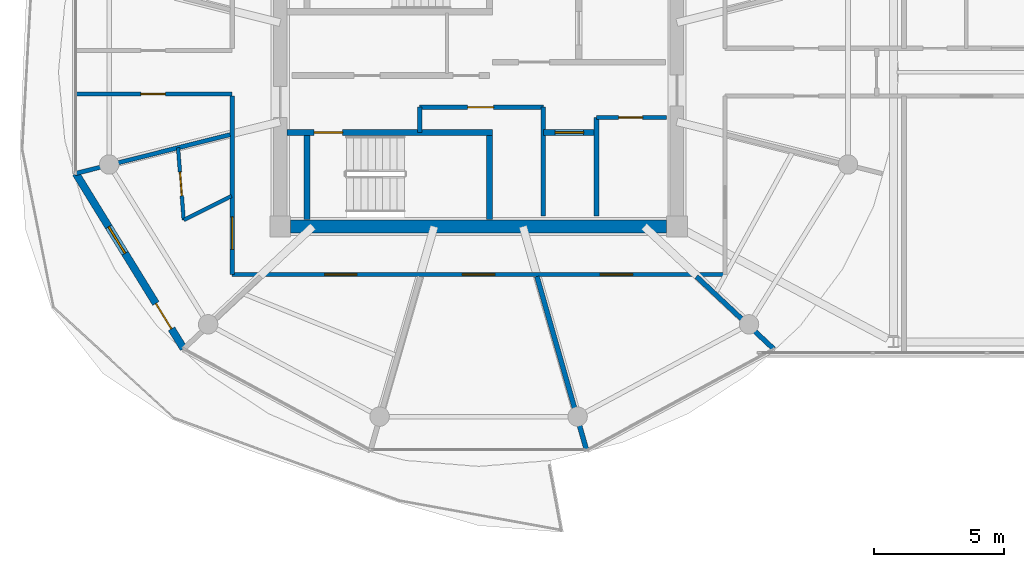
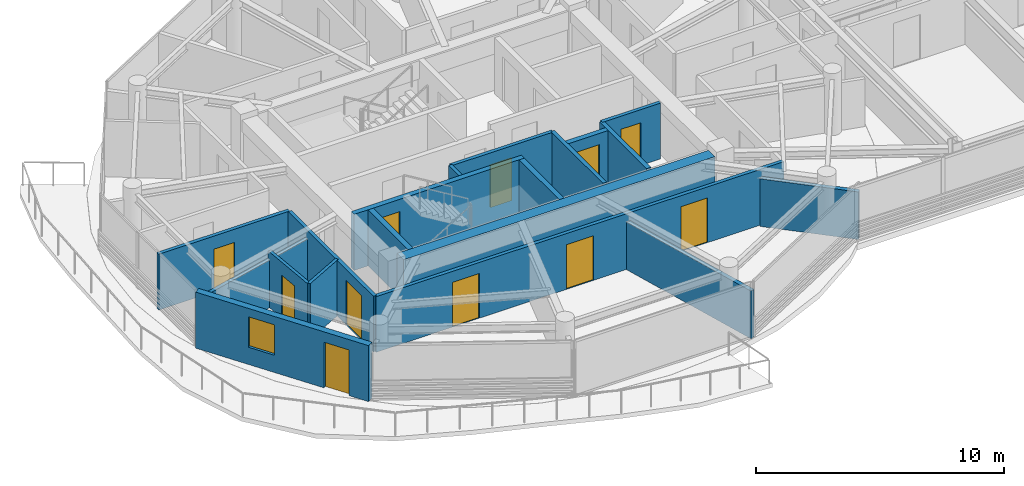
# One storey, part 13 of 23: 19 walls, 11 doors, 1 window, 12 openings.
"""IFC4 building model written with IfcOpenShell, lengths in metres."""

from ifc_helpers import new_model, si_unit, direction, frame, frame_2d, origin, place, context, subcontext, project, spatial, rectangle, extrude, source, transform, mapped, material, layer, layer_set, type_object, type_shapes, element, fill, save


model = new_model("IFC4")

# Units and contexts
model_context = context("Model", 3, precision=1e-05, world=origin(), true_north=direction((0.0, 1.0)))
body_context = subcontext(model_context, "Body", "Model", "MODEL_VIEW")
ifc_project = project(units=[si_unit("LENGTHUNIT", "METRE"), si_unit("AREAUNIT", "SQUARE_METRE"), si_unit("VOLUMEUNIT", "CUBIC_METRE"), si_unit("PLANEANGLEUNIT", "RADIAN"), si_unit("MASSUNIT", "GRAM", prefix="KILO")], contexts=[model_context])

# Site, building, storey
site_placement = place(None, origin())
site = spatial("IfcSite", under=ifc_project, at=site_placement, CompositionType="ELEMENT")
building_placement = place(site_placement, origin())
building = spatial("IfcBuilding", under=site, at=building_placement, Name="Norrkilde Senior Care Towers", CompositionType="ELEMENT")
storey_placement = place(building_placement, frame((0.0, 0.0, 216.949951171875)))
storey = spatial("IfcBuildingStorey", under=building, at=storey_placement, Name="L67", CompositionType="ELEMENT", Elevation=216.949951171875)

# Wall
ifc_material_1 = material(Name="Concrete C50/60", Category="concrete")
ifc_layer_1 = layer(ifc_material_1, 0.52001953125)
ifc_layer_set_1 = layer_set([ifc_layer_1], Name="Concrete C50/60")
wall_type_1 = type_object("IfcWallType", Name="Core Shear Wall Z4 520", PredefinedType="SHEAR", material=ifc_layer_set_1)
shared_shape_1 = source(origin(), body_context, "Body", "SweptSolid", [
    extrude(rectangle(XDim=14.5, YDim=0.52001953125, at=frame_2d((7.25, 0.0))), origin(), (0.0, 0.0, 1.0), 2.760009765625),
])
type_shapes(wall_type_1, [shared_shape_1])
wall_1_placement = place(storey_placement, frame((-20.75, -5.949951171875, 0.0), z_axis=(0.0, 0.0, 1.0), x_axis=(-1.0, 0.0, 0.0)))
element("IfcWall", 1, at=wall_1_placement, inside=storey, type_object=wall_type_1, Name="L67 Core W South Shear Wall", PredefinedType="SHEAR", context=body_context, shape_type="MappedRepresentation", body=[
    mapped(shared_shape_1, transform((0.0, 0.0, 0.0), x_axis=(1.0, 0.0, 0.0), y_axis=(0.0, 1.0, 0.0), z_axis=(0.0, 0.0, 1.0), scale=1.0)),
])

# Wall, openings, door, window
ifc_material_2 = material(Name="Precast concrete C45/55", Category="concrete")
ifc_layer_2 = layer(ifc_material_2, 0.2900390625)
ifc_layer_set_2 = layer_set([ifc_layer_2], Name="Precast concrete C45/55")
wall_type_2 = type_object("IfcWallType", Name="Winter Garden Facade Wall 290", PredefinedType="SOLIDWALL", material=ifc_layer_set_2)
shared_shape_2 = source(origin(), body_context, "Body", "SweptSolid", [
    extrude(rectangle(XDim=7.938232421875, YDim=0.2900390625, at=frame_2d((3.96923828125, 0.0))), origin(), (0.0, 0.0, 1.0), 2.760009765625),
])
type_shapes(wall_type_2, [shared_shape_2])
wall_2_placement = place(storey_placement, frame((-39.370361328125, -10.6630859375, 0.0), z_axis=(0.0, 0.0, 1.0), x_axis=(-0.524244987663, 0.851567491694, 0.0)))
wall_2 = element("IfcWall", 2, at=wall_2_placement, inside=storey, type_object=wall_type_2, Name="L67 Drum W Balcony Access Wall 06", PredefinedType="SOLIDWALL", context=body_context, shape_type="MappedRepresentation", body=[
    mapped(shared_shape_2, transform((0.0, 0.0, 0.0), x_axis=(1.0, 0.0, 0.0), y_axis=(0.0, 1.0, 0.0), z_axis=(0.0, 0.0, 1.0), scale=1.0)),
])
opening_1_placement = place(wall_2_placement, frame((0.89990234375, 0.0, 0.0)))
opening_1 = element("IfcOpeningElement", 3, at=opening_1_placement, cuts=wall_2, Name="Opening D-09", PredefinedType="OPENING", context=body_context, shape_type="SweptSolid", body=[
    extrude(rectangle(XDim=1.14990234375, YDim=2.25, at=frame_2d((0.574951171875, 1.125))), frame((0.0, 0.155029296875, 0.0), z_axis=(0.0, -1.0, 0.0), x_axis=(1.0, 0.0, 0.0)), (0.0, 0.0, 1.0), 0.31005859375),
])
opening_2_placement = place(wall_2_placement, frame((4.3193359375, 0.0, 0.85009765625)))
opening_2 = element("IfcOpeningElement", 4, at=opening_2_placement, cuts=wall_2, Name="Opening WN-07", PredefinedType="OPENING", context=body_context, shape_type="SweptSolid", body=[
    extrude(rectangle(XDim=1.199951171875, YDim=1.5, at=frame_2d((0.60009765625, 0.75))), frame((0.0, 0.155029296875, 0.0), z_axis=(0.0, -1.0, 0.0), x_axis=(1.0, 0.0, 0.0)), (0.0, 0.0, 1.0), 0.31005859375),
])
ifc_material_3 = material(Name="Anodised Aluminium", Category="aluminium")
door_type_1 = type_object("IfcDoorType", Name="Terrace and Balcony Glazed Door 1150x2250", OperationType="NOTDEFINED", PredefinedType="DOOR", material=ifc_material_3)
shared_shape_3 = source(origin(), body_context, "Body", "SweptSolid", [
    extrude(rectangle(XDim=1.14990234375, YDim=2.25, at=frame_2d((0.574951171875, 1.125))), frame((0.0, 0.02490234375, 0.0), z_axis=(0.0, -1.0, 0.0), x_axis=(1.0, 0.0, 0.0)), (0.0, 0.0, 1.0), 0.050048828125),
])
type_shapes(door_type_1, [shared_shape_3])
door_1_placement = place(opening_1_placement, origin())
door_1 = element("IfcDoor", 5, at=door_1_placement, inside=storey, type_object=door_type_1, Name="L67 Drum W Outdoor Terrace Door 06", OperationType="SINGLE_SWING_LEFT", OverallHeight=2.25, OverallWidth=1.14990234375, PredefinedType="DOOR", context=body_context, shape_type="MappedRepresentation", body=[
    mapped(shared_shape_3, transform((0.0, 0.0, 0.0), x_axis=(1.0, 0.0, 0.0), y_axis=(0.0, 1.0, 0.0), z_axis=(0.0, 0.0, 1.0), scale=1.0)),
])
fill(opening_1, door_1)
ifc_material_4 = material(Name="Triple Low-E Insulated Glazing", Category="glass")
window_type = type_object("IfcWindowType", Name="Stairwell Smoke Vent Window 1200x1500", PartitioningType="SINGLE_PANEL", PredefinedType="WINDOW", material=ifc_material_4)
shared_shape_4 = source(origin(), body_context, "Body", "SweptSolid", [
    extrude(rectangle(XDim=1.199951171875, YDim=1.5, at=frame_2d((0.60009765625, 0.75))), frame((0.0, 0.030029296875, 0.0), z_axis=(0.0, -1.0, 0.0), x_axis=(1.0, 0.0, 0.0)), (0.0, 0.0, 1.0), 0.06005859375),
])
type_shapes(window_type, [shared_shape_4])
window_placement = place(opening_2_placement, origin())
window = element("IfcWindow", 6, at=window_placement, inside=storey, type_object=window_type, Name="L67 Drum W Winter Garden Window 06", OverallHeight=1.5, OverallWidth=1.199951171875, PartitioningType="SINGLE_PANEL", PredefinedType="WINDOW", context=body_context, shape_type="MappedRepresentation", body=[
    mapped(shared_shape_4, transform((0.0, 0.0, 0.0), x_axis=(1.0, 0.0, 0.0), y_axis=(0.0, 1.0, 0.0), z_axis=(0.0, 0.0, 1.0), scale=1.0)),
])
fill(opening_2, window)

# Wall, opening, door
ifc_material_5 = material(Name="Concrete C45/55", Category="concrete")
ifc_layer_3 = layer(ifc_material_5, 0.239990234375)
ifc_layer_set_3 = layer_set([ifc_layer_3], Name="Concrete C45/55")
wall_type_3 = type_object("IfcWallType", Name="Shaft and Stair Enclosure Wall 240", PredefinedType="PARTITIONING", material=ifc_layer_set_3)
shared_shape_5 = source(origin(), body_context, "Body", "SweptSolid", [
    extrude(rectangle(XDim=7.929931640625, YDim=0.239990234375, at=frame_2d((3.96484375, 0.0))), origin(), (0.0, 0.0, 1.0), 2.760009765625),
])
wall_3_placement = place(storey_placement, frame((-35.389892578125, -2.330078125, 0.0), z_axis=(0.0, 0.0, 1.0), x_axis=(1.0, 0.0, 0.0)))
wall_3 = element("IfcWall", 7, at=wall_3_placement, inside=storey, type_object=wall_type_3, Name="WL-INT-L67-W-ST2N", PredefinedType="PARTITIONING", context=body_context, shape_type="MappedRepresentation", body=[
    mapped(shared_shape_5, transform((0.0, 0.0, 0.0), x_axis=(1.0, 0.0, 0.0), y_axis=(0.0, 1.0, 0.0), z_axis=(0.0, 0.0, 1.0), scale=1.0)),
])
opening_3_placement = place(wall_3_placement, frame((1.050048828125, 0.0, 0.0)))
opening_3 = element("IfcOpeningElement", 8, at=opening_3_placement, cuts=wall_3, Name="Opening D-03", PredefinedType="OPENING", context=body_context, shape_type="SweptSolid", body=[
    extrude(rectangle(XDim=1.10009765625, YDim=2.14990234375, at=frame_2d((0.550048828125, 1.074951171875))), frame((0.0, 0.1298828125, 0.0), z_axis=(0.0, -1.0, 0.0), x_axis=(1.0, 0.0, 0.0)), (0.0, 0.0, 1.0), 0.260009765625),
])
ifc_material_6 = material(Name="Galvanised Painted Steel", Category="steel")
door_type_2 = type_object("IfcDoorType", Name="Stairwell Protected Fire Door 1100x2150", OperationType="NOTDEFINED", PredefinedType="DOOR", material=ifc_material_6)
shared_shape_6 = source(origin(), body_context, "Body", "SweptSolid", [
    extrude(rectangle(XDim=1.10009765625, YDim=2.14990234375, at=frame_2d((0.550048828125, 1.074951171875))), frame((0.0, 0.02490234375, 0.0), z_axis=(0.0, -1.0, 0.0), x_axis=(1.0, 0.0, 0.0)), (0.0, 0.0, 1.0), 0.050048828125),
])
type_shapes(door_type_2, [shared_shape_6])
door_2_placement = place(opening_3_placement, frame((1.10009765625, 0.0, 0.0), z_axis=(0.0, 0.0, 1.0), x_axis=(-1.0, 0.0, 0.0)))
door_2 = element("IfcDoor", 9, at=door_2_placement, inside=storey, type_object=door_type_2, Name="L67 Stair W2 Fire Door", OperationType="SINGLE_SWING_RIGHT", OverallHeight=2.14990234375, OverallWidth=1.10009765625, PredefinedType="DOOR", context=body_context, shape_type="MappedRepresentation", body=[
    mapped(shared_shape_6, transform((0.0, 0.0, 0.0), x_axis=(1.0, 0.0, 0.0), y_axis=(0.0, 1.0, 0.0), z_axis=(0.0, 0.0, 1.0), scale=1.0)),
])
fill(opening_3, door_2)

# Walls
shared_shape_7 = source(origin(), body_context, "Body", "SweptSolid", [
    extrude(rectangle(XDim=3.239990234375, YDim=0.239990234375, at=frame_2d((1.6201171875, 0.0))), origin(), (0.0, 0.0, 1.0), 2.760009765625),
])
type_shapes(wall_type_3, [shared_shape_5, shared_shape_7])
for number, where, z_axis, x_axis, name in (
    (10, (-34.6201171875, -5.68994140625, 0.0), (0.0, 0.0, 1.0), (0.0, 1.0, 0.0), "WL-INT-L67-W-ST2W"),
    (11, (-27.580078125, -5.68994140625, 0.0), (0.0, 0.0, 1.0), (0.0, 1.0, 0.0), "WL-INT-L67-W-ST2E"),
):
    element("IfcWall", number, at=place(storey_placement, frame(where, z_axis=z_axis, x_axis=x_axis)), inside=storey, type_object=wall_type_3, Name=name, PredefinedType="PARTITIONING", context=body_context, shape_type="MappedRepresentation", body=[
        mapped(shared_shape_7, transform((0.0, 0.0, 0.0), x_axis=(1.0, 0.0, 0.0), y_axis=(0.0, 1.0, 0.0), z_axis=(0.0, 0.0, 1.0), scale=1.0)),
    ])
ifc_layer_4 = layer(ifc_material_5, 0.199951171875)
ifc_layer_set_4 = layer_set([ifc_layer_4], Name="Concrete C45/55")
wall_type_4 = type_object("IfcWallType", Name="Shaft Division and Plant Partition 200", PredefinedType="PARTITIONING", material=ifc_layer_set_4)
shared_shape_8 = source(origin(), body_context, "Body", "SweptSolid", [
    extrude(rectangle(XDim=3.800048828125, YDim=0.199951171875, at=frame_2d((1.89990234375, 0.0))), origin(), (0.0, 0.0, 1.0), 2.7451171875),
])
type_shapes(wall_type_4, [shared_shape_8])
wall_4_placement = place(storey_placement, frame((-23.449951171875, -5.550048828125, 0.0), z_axis=(0.0, 0.0, 1.0), x_axis=(0.0, 1.0, 0.0)))
element("IfcWall", 12, at=wall_4_placement, inside=storey, type_object=wall_type_4, Name="WL-INT-L67-W-PKBE", PredefinedType="PARTITIONING", context=body_context, shape_type="MappedRepresentation", body=[
    mapped(shared_shape_8, transform((0.0, 0.0, 0.0), x_axis=(1.0, 0.0, 0.0), y_axis=(0.0, 1.0, 0.0), z_axis=(0.0, 0.0, 1.0), scale=1.0)),
])

# Wall, opening, door
ifc_layer_5 = layer(ifc_material_5, 0.239990234375)
ifc_layer_set_5 = layer_set([ifc_layer_5], Name="Concrete C45/55")
wall_type_5 = type_object("IfcWallType", Name="Lift and Plant Rated Enclosure Partition 240", PredefinedType="PARTITIONING", material=ifc_layer_set_5)
shared_shape_9 = source(origin(), body_context, "Body", "SweptSolid", [
    extrude(rectangle(XDim=2.050048828125, YDim=0.239990234375, at=frame_2d((1.02490234375, 0.0))), origin(), (0.0, 0.0, 1.0), 2.7451171875),
])
type_shapes(wall_type_5, [shared_shape_9])
wall_5_placement = place(storey_placement, frame((-25.5, -2.330078125, 0.0), z_axis=(0.0, 0.0, 1.0), x_axis=(1.0, 0.0, 0.0)))
wall_5 = element("IfcWall", 13, at=wall_5_placement, inside=storey, type_object=wall_type_5, Name="WL-INT-L67-W-PL4N", PredefinedType="PARTITIONING", context=body_context, shape_type="MappedRepresentation", body=[
    mapped(shared_shape_9, transform((0.0, 0.0, 0.0), x_axis=(1.0, 0.0, 0.0), y_axis=(0.0, 1.0, 0.0), z_axis=(0.0, 0.0, 1.0), scale=1.0)),
])
opening_4_placement = place(wall_5_placement, frame((0.449951171875, 0.0, 0.0)))
opening_4 = element("IfcOpeningElement", 14, at=opening_4_placement, cuts=wall_5, Name="Opening LD-01", PredefinedType="OPENING", context=body_context, shape_type="SweptSolid", body=[
    extrude(rectangle(XDim=1.10009765625, YDim=2.199951171875, at=frame_2d((0.550048828125, 1.10009765625))), frame((0.0, 0.1298828125, 0.0), z_axis=(0.0, -1.0, 0.0), x_axis=(1.0, 0.0, 0.0)), (0.0, 0.0, 1.0), 0.260009765625),
])
ifc_material_7 = material(Name="Stainless Steel", Category="steel")
door_type_3 = type_object("IfcDoorType", Name="Lift Landing Sliding Door 1100x2200", OperationType="NOTDEFINED", PredefinedType="DOOR", material=ifc_material_7)
shared_shape_10 = source(origin(), body_context, "Body", "SweptSolid", [
    extrude(rectangle(XDim=1.10009765625, YDim=2.199951171875, at=frame_2d((0.550048828125, 1.10009765625))), frame((0.0, 0.02490234375, 0.0), z_axis=(0.0, -1.0, 0.0), x_axis=(1.0, 0.0, 0.0)), (0.0, 0.0, 1.0), 0.050048828125),
])
type_shapes(door_type_3, [shared_shape_10])
door_3_placement = place(opening_4_placement, frame((1.10009765625, 0.0, 0.0), z_axis=(0.0, 0.0, 1.0), x_axis=(-1.0, 0.0, 0.0)))
door_3 = element("IfcDoor", 15, at=door_3_placement, inside=storey, type_object=door_type_3, Name="L67 Passenger Lift W4 Landing Door", OperationType="SLIDING_TO_RIGHT", OverallHeight=2.199951171875, OverallWidth=1.10009765625, PredefinedType="DOOR", context=body_context, shape_type="MappedRepresentation", body=[
    mapped(shared_shape_10, transform((0.0, 0.0, 0.0), x_axis=(1.0, 0.0, 0.0), y_axis=(0.0, 1.0, 0.0), z_axis=(0.0, 0.0, 1.0), scale=1.0)),
])
fill(opening_4, door_3)

# Wall
ifc_layer_6 = layer(ifc_material_5, 0.179931640625)
ifc_layer_set_6 = layer_set([ifc_layer_6], Name="Concrete C45/55")
wall_type_6 = type_object("IfcWallType", Name="Hoistway Division Rated Partition 180", PredefinedType="PARTITIONING", material=ifc_layer_set_6)
shared_shape_11 = source(origin(), body_context, "Body", "SweptSolid", [
    extrude(rectangle(XDim=4.199951171875, YDim=0.179931640625, at=frame_2d((2.10009765625, 0.0))), origin(), (0.0, 0.0, 1.0), 2.7451171875),
])
type_shapes(wall_type_6, [shared_shape_11])
wall_6_placement = place(storey_placement, frame((-25.5, -5.550048828125, 0.0), z_axis=(0.0, 0.0, 1.0), x_axis=(0.0, 1.0, 0.0)))
element("IfcWall", 16, at=wall_6_placement, inside=storey, type_object=wall_type_6, Name="WL-INT-L67-W-PL4W", PredefinedType="PARTITIONING", context=body_context, shape_type="MappedRepresentation", body=[
    mapped(shared_shape_11, transform((0.0, 0.0, 0.0), x_axis=(1.0, 0.0, 0.0), y_axis=(0.0, 1.0, 0.0), z_axis=(0.0, 0.0, 1.0), scale=1.0)),
])

# Wall, opening, door
ifc_material_8 = material(Name="Gypsum Acoustic Board")
ifc_layer_7 = layer(ifc_material_8, 0.1650390625)
ifc_layer_set_7 = layer_set([ifc_layer_7], Name="Gypsum Acoustic Board")
wall_type_7 = type_object("IfcWallType", Name="Corridor Rated Partition 165", PredefinedType="PARTITIONING", material=ifc_layer_set_7)
shared_shape_12 = source(origin(), body_context, "Body", "SweptSolid", [
    extrude(rectangle(XDim=4.77001953125, YDim=0.1650390625, at=frame_2d((2.385009765625, 0.0))), origin(), (0.0, 0.0, 1.0), 2.7451171875),
])
wall_7_placement = place(storey_placement, frame((-30.27001953125, -1.35009765625, 0.0), z_axis=(0.0, 0.0, 1.0), x_axis=(1.0, 0.0, 0.0)))
wall_7 = element("IfcWall", 17, at=wall_7_placement, inside=storey, type_object=wall_type_7, Name="WL-INT-L67-W-FR2N", PredefinedType="PARTITIONING", context=body_context, shape_type="MappedRepresentation", body=[
    mapped(shared_shape_12, transform((0.0, 0.0, 0.0), x_axis=(1.0, 0.0, 0.0), y_axis=(0.0, 1.0, 0.0), z_axis=(0.0, 0.0, 1.0), scale=1.0)),
])
opening_5_placement = place(wall_7_placement, frame((1.85009765625, 0.0, 0.0)))
opening_5 = element("IfcOpeningElement", 18, at=opening_5_placement, cuts=wall_7, Name="Opening D-10", PredefinedType="OPENING", context=body_context, shape_type="SweptSolid", body=[
    extrude(rectangle(XDim=1.0, YDim=2.10009765625, at=frame_2d((0.5, 1.050048828125))), frame((0.0, 0.092529296875, 0.0), z_axis=(0.0, -1.0, 0.0), x_axis=(1.0, 0.0, 0.0)), (0.0, 0.0, 1.0), 0.18505859375),
])
door_type_4 = type_object("IfcDoorType", Name="Plant and Riser Rated Door 1000x2100", OperationType="NOTDEFINED", PredefinedType="DOOR", material=ifc_material_6)
shared_shape_13 = source(origin(), body_context, "Body", "SweptSolid", [
    extrude(rectangle(XDim=1.0, YDim=2.10009765625, at=frame_2d((0.5, 1.050048828125))), frame((0.0, 0.02490234375, 0.0), z_axis=(0.0, -1.0, 0.0), x_axis=(1.0, 0.0, 0.0)), (0.0, 0.0, 1.0), 0.050048828125),
])
type_shapes(door_type_4, [shared_shape_13])
door_4_placement = place(opening_5_placement, origin())
door_4 = element("IfcDoor", 19, at=door_4_placement, inside=storey, type_object=door_type_4, Name="L67 Core Pantry W Door", OperationType="SINGLE_SWING_RIGHT", OverallHeight=2.10009765625, OverallWidth=1.0, PredefinedType="DOOR", context=body_context, shape_type="MappedRepresentation", body=[
    mapped(shared_shape_13, transform((0.0, 0.0, 0.0), x_axis=(1.0, 0.0, 0.0), y_axis=(0.0, 1.0, 0.0), z_axis=(0.0, 0.0, 1.0), scale=1.0)),
])
fill(opening_5, door_4)

# Wall
shared_shape_14 = source(origin(), body_context, "Body", "SweptSolid", [
    extrude(rectangle(XDim=0.97998046875, YDim=0.1650390625, at=frame_2d((0.489990234375, 0.0))), origin(), (0.0, 0.0, 1.0), 2.7451171875),
])
wall_8_placement = place(storey_placement, frame((-30.27001953125, -2.330078125, 0.0), z_axis=(0.0, 0.0, 1.0), x_axis=(0.0, 1.0, 0.0)))
element("IfcWall", 20, at=wall_8_placement, inside=storey, type_object=wall_type_7, Name="WL-INT-L67-W-FR2W", PredefinedType="PARTITIONING", context=body_context, shape_type="MappedRepresentation", body=[
    mapped(shared_shape_14, transform((0.0, 0.0, 0.0), x_axis=(1.0, 0.0, 0.0), y_axis=(0.0, 1.0, 0.0), z_axis=(0.0, 0.0, 1.0), scale=1.0)),
])

# Wall, opening, door
shared_shape_15 = source(origin(), body_context, "Body", "SweptSolid", [
    extrude(rectangle(XDim=2.699951171875, YDim=0.1650390625, at=frame_2d((1.35009765625, 0.0))), origin(), (0.0, 0.0, 1.0), 2.7451171875),
])
wall_9_placement = place(storey_placement, frame((-23.449951171875, -1.75, 0.0), z_axis=(0.0, 0.0, 1.0), x_axis=(1.0, 0.0, 0.0)))
wall_9 = element("IfcWall", 21, at=wall_9_placement, inside=storey, type_object=wall_type_7, Name="WL-INT-L67-W-CSN", PredefinedType="PARTITIONING", context=body_context, shape_type="MappedRepresentation", body=[
    mapped(shared_shape_15, transform((0.0, 0.0, 0.0), x_axis=(1.0, 0.0, 0.0), y_axis=(0.0, 1.0, 0.0), z_axis=(0.0, 0.0, 1.0), scale=1.0)),
])
opening_6_placement = place(wall_9_placement, frame((0.85009765625, 0.0, 0.0)))
opening_6 = element("IfcOpeningElement", 22, at=opening_6_placement, cuts=wall_9, Name="Opening D-12", PredefinedType="OPENING", context=body_context, shape_type="SweptSolid", body=[
    extrude(rectangle(XDim=0.925048828125, YDim=2.10009765625, at=frame_2d((0.46240234375, 1.050048828125))), frame((0.0, 0.092529296875, 0.0), z_axis=(0.0, -1.0, 0.0), x_axis=(1.0, 0.0, 0.0)), (0.0, 0.0, 1.0), 0.18505859375),
])
door_type_5 = type_object("IfcDoorType", Name="Core Wet Room Rated Door 925x2100", OperationType="NOTDEFINED", PredefinedType="DOOR", material=ifc_material_6)
shared_shape_16 = source(origin(), body_context, "Body", "SweptSolid", [
    extrude(rectangle(XDim=0.925048828125, YDim=2.10009765625, at=frame_2d((0.46240234375, 1.050048828125))), frame((0.0, 0.02490234375, 0.0), z_axis=(0.0, -1.0, 0.0), x_axis=(1.0, 0.0, 0.0)), (0.0, 0.0, 1.0), 0.050048828125),
])
type_shapes(door_type_5, [shared_shape_16])
door_5_placement = place(opening_6_placement, origin())
door_5 = element("IfcDoor", 23, at=door_5_placement, inside=storey, type_object=door_type_5, Name="L67 Core Utility W Door", OperationType="SINGLE_SWING_LEFT", OverallHeight=2.10009765625, OverallWidth=0.925048828125, PredefinedType="DOOR", context=body_context, shape_type="MappedRepresentation", body=[
    mapped(shared_shape_16, transform((0.0, 0.0, 0.0), x_axis=(1.0, 0.0, 0.0), y_axis=(0.0, 1.0, 0.0), z_axis=(0.0, 0.0, 1.0), scale=1.0)),
])
fill(opening_6, door_5)

# Wall, openings, doors
shared_shape_17 = source(origin(), body_context, "Body", "SweptSolid", [
    extrude(rectangle(XDim=19.0, YDim=0.1650390625, at=frame_2d((9.5, 0.0))), origin(), (0.0, 0.0, 1.0), 2.7451171875),
])
wall_10_placement = place(storey_placement, frame((-18.5, -7.800048828125, 0.0), z_axis=(0.0, 0.0, 1.0), x_axis=(-1.0, 0.0, 0.0)))
wall_10 = element("IfcWall", 24, at=wall_10_placement, inside=storey, type_object=wall_type_7, Name="WL-INT-L67-W-CRW-S-0", PredefinedType="PARTITIONING", context=body_context, shape_type="MappedRepresentation", body=[
    mapped(shared_shape_17, transform((0.0, 0.0, 0.0), x_axis=(1.0, 0.0, 0.0), y_axis=(0.0, 1.0, 0.0), z_axis=(0.0, 0.0, 1.0), scale=1.0)),
])
opening_7_placement = place(wall_10_placement, frame((14.19140625, 0.0, 0.0)))
opening_7 = element("IfcOpeningElement", 25, at=opening_7_placement, cuts=wall_10, Name="Opening D-05", PredefinedType="OPENING", context=body_context, shape_type="SweptSolid", body=[
    extrude(rectangle(XDim=1.25, YDim=2.199951171875, at=frame_2d((0.625, 1.10009765625))), frame((0.0, 0.092529296875, 0.0), z_axis=(0.0, -1.0, 0.0), x_axis=(1.0, 0.0, 0.0)), (0.0, 0.0, 1.0), 0.18505859375),
])
opening_8_placement = place(wall_10_placement, frame((8.875, 0.0, 0.0)))
opening_8 = element("IfcOpeningElement", 26, at=opening_8_placement, cuts=wall_10, Name="Opening D-05", PredefinedType="OPENING", context=body_context, shape_type="SweptSolid", body=[
    extrude(rectangle(XDim=1.25, YDim=2.199951171875, at=frame_2d((0.625, 1.10009765625))), frame((0.0, 0.092529296875, 0.0), z_axis=(0.0, -1.0, 0.0), x_axis=(1.0, 0.0, 0.0)), (0.0, 0.0, 1.0), 0.18505859375),
])
opening_9_placement = place(wall_10_placement, frame((3.55859375, 0.0, 0.0)))
opening_9 = element("IfcOpeningElement", 27, at=opening_9_placement, cuts=wall_10, Name="Opening D-05", PredefinedType="OPENING", context=body_context, shape_type="SweptSolid", body=[
    extrude(rectangle(XDim=1.25, YDim=2.199951171875, at=frame_2d((0.625, 1.10009765625))), frame((0.0, 0.092529296875, 0.0), z_axis=(0.0, -1.0, 0.0), x_axis=(1.0, 0.0, 0.0)), (0.0, 0.0, 1.0), 0.18505859375),
])
ifc_material_9 = material(Name="Nordic Ash Timber", Category="wood")
door_type_6 = type_object("IfcDoorType", Name="Care Bedroom Bariatric Door 1250x2200", OperationType="NOTDEFINED", PredefinedType="DOOR", material=ifc_material_9)
shared_shape_18 = source(origin(), body_context, "Body", "SweptSolid", [
    extrude(rectangle(XDim=1.25, YDim=2.199951171875, at=frame_2d((0.625, 1.10009765625))), frame((0.0, 0.02490234375, 0.0), z_axis=(0.0, -1.0, 0.0), x_axis=(1.0, 0.0, 0.0)), (0.0, 0.0, 1.0), 0.050048828125),
])
type_shapes(door_type_6, [shared_shape_18])
door_6_placement = place(opening_7_placement, frame((1.25, 0.0, 0.0), z_axis=(0.0, 0.0, 1.0), x_axis=(-1.0, 0.0, 0.0)))
door_6 = element("IfcDoor", 28, at=door_6_placement, inside=storey, type_object=door_type_6, Name="L67 Household Communal Dining Salon Door", OperationType="SINGLE_SWING_RIGHT", OverallHeight=2.199951171875, OverallWidth=1.25, PredefinedType="DOOR", context=body_context, shape_type="MappedRepresentation", body=[
    mapped(shared_shape_18, transform((0.0, 0.0, 0.0), x_axis=(1.0, 0.0, 0.0), y_axis=(0.0, 1.0, 0.0), z_axis=(0.0, 0.0, 1.0), scale=1.0)),
])
fill(opening_7, door_6)
door_7_placement = place(opening_8_placement, frame((1.25, 0.0, 0.0), z_axis=(0.0, 0.0, 1.0), x_axis=(-1.0, 0.0, 0.0)))
door_7 = element("IfcDoor", 29, at=door_7_placement, inside=storey, type_object=door_type_6, Name="L67 Resident Therapeutic Day Lounge Door", OperationType="SINGLE_SWING_LEFT", OverallHeight=2.199951171875, OverallWidth=1.25, PredefinedType="DOOR", context=body_context, shape_type="MappedRepresentation", body=[
    mapped(shared_shape_18, transform((0.0, 0.0, 0.0), x_axis=(1.0, 0.0, 0.0), y_axis=(0.0, 1.0, 0.0), z_axis=(0.0, 0.0, 1.0), scale=1.0)),
])
fill(opening_8, door_7)
door_8_placement = place(opening_9_placement, frame((1.25, 0.0, 0.0), z_axis=(0.0, 0.0, 1.0), x_axis=(-1.0, 0.0, 0.0)))
door_8 = element("IfcDoor", 30, at=door_8_placement, inside=storey, type_object=door_type_6, Name="L67 Care Coordination Charting Office Door", OperationType="SINGLE_SWING_RIGHT", OverallHeight=2.199951171875, OverallWidth=1.25, PredefinedType="DOOR", context=body_context, shape_type="MappedRepresentation", body=[
    mapped(shared_shape_18, transform((0.0, 0.0, 0.0), x_axis=(1.0, 0.0, 0.0), y_axis=(0.0, 1.0, 0.0), z_axis=(0.0, 0.0, 1.0), scale=1.0)),
])
fill(opening_9, door_8)

# Wall, opening, door
shared_shape_19 = source(origin(), body_context, "Body", "SweptSolid", [
    extrude(rectangle(XDim=6.880126953125, YDim=0.1650390625, at=frame_2d((3.43994140625, 0.0))), origin(), (0.0, 0.0, 1.0), 2.7451171875),
])
wall_11_placement = place(storey_placement, frame((-37.5, -7.800048828125, 0.0), z_axis=(0.0, 0.0, 1.0), x_axis=(0.0, 1.0, 0.0)))
wall_11 = element("IfcWall", 31, at=wall_11_placement, inside=storey, type_object=wall_type_7, Name="WL-INT-L67-W-CRW-W-0", PredefinedType="PARTITIONING", context=body_context, shape_type="MappedRepresentation", body=[
    mapped(shared_shape_19, transform((0.0, 0.0, 0.0), x_axis=(1.0, 0.0, 0.0), y_axis=(0.0, 1.0, 0.0), z_axis=(0.0, 0.0, 1.0), scale=1.0)),
])
opening_10_placement = place(wall_11_placement, frame((0.96826171875, 0.0, 0.0)))
opening_10 = element("IfcOpeningElement", 32, at=opening_10_placement, cuts=wall_11, Name="Opening D-05", PredefinedType="OPENING", context=body_context, shape_type="SweptSolid", body=[
    extrude(rectangle(XDim=1.25, YDim=2.199951171875, at=frame_2d((0.625, 1.10009765625))), frame((0.0, 0.092529296875, 0.0), z_axis=(0.0, -1.0, 0.0), x_axis=(1.0, 0.0, 0.0)), (0.0, 0.0, 1.0), 0.18505859375),
])
door_9_placement = place(opening_10_placement, frame((1.25, 0.0, 0.0), z_axis=(0.0, 0.0, 1.0), x_axis=(-1.0, 0.0, 0.0)))
door_9 = element("IfcDoor", 33, at=door_9_placement, inside=storey, type_object=door_type_6, Name="L67 Care Suite 6706 Entrance Door", OperationType="SINGLE_SWING_LEFT", OverallHeight=2.199951171875, OverallWidth=1.25, PredefinedType="DOOR", context=body_context, shape_type="MappedRepresentation", body=[
    mapped(shared_shape_18, transform((0.0, 0.0, 0.0), x_axis=(1.0, 0.0, 0.0), y_axis=(0.0, 1.0, 0.0), z_axis=(0.0, 0.0, 1.0), scale=1.0)),
])
fill(opening_10, door_9)

# Wall
shared_shape_20 = source(origin(), body_context, "Body", "SweptSolid", [
    extrude(rectangle(XDim=6.1572265625, YDim=0.1650390625, at=frame_2d((3.07861328125, 0.0))), origin(), (0.0, 0.0, 1.0), 2.344970703125),
])
wall_12_placement = place(storey_placement, frame((-37.580078125, -2.407470703125, 0.0), z_axis=(0.0, 0.0, 1.0), x_axis=(-0.969840867184, -0.243738984038, 0.0)))
element("IfcWall", 34, at=wall_12_placement, inside=storey, type_object=wall_type_7, Name="WL-INT-L67-W-DEM-06-0", PredefinedType="PARTITIONING", context=body_context, shape_type="MappedRepresentation", body=[
    mapped(shared_shape_20, transform((0.0, 0.0, 0.0), x_axis=(1.0, 0.0, 0.0), y_axis=(0.0, 1.0, 0.0), z_axis=(0.0, 0.0, 1.0), scale=1.0)),
])

# Wall, opening, door
shared_shape_21 = source(origin(), body_context, "Body", "SweptSolid", [
    extrude(rectangle(XDim=6.101318359375, YDim=0.1650390625, at=frame_2d((3.05078125, 0.0))), origin(), (0.0, 0.0, 1.0), 2.7451171875),
])
type_shapes(wall_type_7, [shared_shape_12, shared_shape_14, shared_shape_15, shared_shape_17, shared_shape_19, shared_shape_20, shared_shape_21])
wall_13_placement = place(storey_placement, frame((-37.5, -0.840087890625, 0.0), z_axis=(0.0, 0.0, 1.0), x_axis=(-1.0, 0.0, 0.0)))
wall_13 = element("IfcWall", 35, at=wall_13_placement, inside=storey, type_object=wall_type_7, Name="WL-INT-L67-W-SPK-W2-0", PredefinedType="PARTITIONING", context=body_context, shape_type="MappedRepresentation", body=[
    mapped(shared_shape_21, transform((0.0, 0.0, 0.0), x_axis=(1.0, 0.0, 0.0), y_axis=(0.0, 1.0, 0.0), z_axis=(0.0, 0.0, 1.0), scale=1.0)),
])
opening_11_placement = place(wall_13_placement, frame((2.57568359375, 0.0, 0.0)))
opening_11 = element("IfcOpeningElement", 36, at=opening_11_placement, cuts=wall_13, Name="Opening D-07", PredefinedType="OPENING", context=body_context, shape_type="SweptSolid", body=[
    extrude(rectangle(XDim=0.949951171875, YDim=2.10009765625, at=frame_2d((0.47509765625, 1.050048828125))), frame((0.0, 0.092529296875, 0.0), z_axis=(0.0, -1.0, 0.0), x_axis=(1.0, 0.0, 0.0)), (0.0, 0.0, 1.0), 0.18505859375),
])
door_type_7 = type_object("IfcDoorType", Name="Internal Suite Bedroom Door 950x2100", OperationType="NOTDEFINED", PredefinedType="DOOR", material=ifc_material_9)
shared_shape_22 = source(origin(), body_context, "Body", "SweptSolid", [
    extrude(rectangle(XDim=0.949951171875, YDim=2.10009765625, at=frame_2d((0.47509765625, 1.050048828125))), frame((0.0, 0.02490234375, 0.0), z_axis=(0.0, -1.0, 0.0), x_axis=(1.0, 0.0, 0.0)), (0.0, 0.0, 1.0), 0.050048828125),
])
type_shapes(door_type_7, [shared_shape_22])
door_10_placement = place(opening_11_placement, frame((0.949951171875, 0.0, 0.0), z_axis=(0.0, 0.0, 1.0), x_axis=(-1.0, 0.0, 0.0)))
door_10 = element("IfcDoor", 37, at=door_10_placement, inside=storey, type_object=door_type_7, Name="L67 Sun Reading Lounge 1 Door", OperationType="SINGLE_SWING_RIGHT", OverallHeight=2.10009765625, OverallWidth=0.949951171875, PredefinedType="DOOR", context=body_context, shape_type="MappedRepresentation", body=[
    mapped(shared_shape_22, transform((0.0, 0.0, 0.0), x_axis=(1.0, 0.0, 0.0), y_axis=(0.0, 1.0, 0.0), z_axis=(0.0, 0.0, 1.0), scale=1.0)),
])
fill(opening_11, door_10)

# Walls
ifc_layer_8 = layer(ifc_material_8, 0.18994140625)
ifc_layer_set_8 = layer_set([ifc_layer_8], Name="Gypsum Acoustic Board")
wall_type_8 = type_object("IfcWallType", Name="Unit Demising Acoustic Wall 190", PredefinedType="PARTITIONING", material=ifc_layer_set_8)
shared_shape_23 = source(origin(), body_context, "Body", "SweptSolid", [
    extrude(rectangle(XDim=4.089111328125, YDim=0.18994140625, at=frame_2d((2.04443359375, 0.0))), origin(), (0.0, 0.0, 1.0), 2.344970703125),
])
wall_14_placement = place(storey_placement, frame((-19.59814453125, -7.8798828125, 0.0), z_axis=(0.0, 0.0, 1.0), x_axis=(0.729401273609, -0.684086092577, 0.0)))
element("IfcWall", 38, at=wall_14_placement, inside=storey, type_object=wall_type_8, Name="WL-INT-L67-W-DEM-10-0", PredefinedType="PARTITIONING", context=body_context, shape_type="MappedRepresentation", body=[
    mapped(shared_shape_23, transform((0.0, 0.0, 0.0), x_axis=(1.0, 0.0, 0.0), y_axis=(0.0, 1.0, 0.0), z_axis=(0.0, 0.0, 1.0), scale=1.0)),
])
ifc_layer_9 = layer(ifc_material_8, 0.139892578125)
ifc_layer_set_9 = layer_set([ifc_layer_9], Name="Gypsum Acoustic Board")
wall_type_9 = type_object("IfcWallType", Name="En-suite Wet Room Wall 140", PredefinedType="PARTITIONING", material=ifc_layer_set_9)
shared_shape_24 = source(origin(), body_context, "Body", "SweptSolid", [
    extrude(rectangle(XDim=2.059814453125, YDim=0.139892578125, at=frame_2d((1.02978515625, 0.0))), origin(), (0.0, 0.0, 1.0), 2.7451171875),
])
wall_15_placement = place(storey_placement, frame((-37.530029296875, -4.7783203125, 0.0), z_axis=(0.0, 0.0, 1.0), x_axis=(-0.893952568722, -0.448161583444, 0.0)))
element("IfcWall", 39, at=wall_15_placement, inside=storey, type_object=wall_type_9, Name="WL-INT-L67-W-ES-06", PredefinedType="PARTITIONING", context=body_context, shape_type="MappedRepresentation", body=[
    mapped(shared_shape_24, transform((0.0, 0.0, 0.0), x_axis=(1.0, 0.0, 0.0), y_axis=(0.0, 1.0, 0.0), z_axis=(0.0, 0.0, 1.0), scale=1.0)),
])

# Wall, opening, door
shared_shape_25 = source(origin(), body_context, "Body", "SweptSolid", [
    extrude(rectangle(XDim=2.79833984375, YDim=0.139892578125, at=frame_2d((1.399169921875, 0.0))), origin(), (0.0, 0.0, 1.0), 2.7451171875),
])
type_shapes(wall_type_9, [shared_shape_24, shared_shape_25])
wall_16_placement = place(storey_placement, frame((-39.371337890625, -5.701416015625, 0.0), z_axis=(0.0, 0.0, 1.0), x_axis=(-0.077823984089, 0.996967114553, 0.0)))
wall_16 = element("IfcWall", 40, at=wall_16_placement, inside=storey, type_object=wall_type_9, Name="WL-INT-L67-W-EF-06", PredefinedType="PARTITIONING", context=body_context, shape_type="MappedRepresentation", body=[
    mapped(shared_shape_25, transform((0.0, 0.0, 0.0), x_axis=(1.0, 0.0, 0.0), y_axis=(0.0, 1.0, 0.0), z_axis=(0.0, 0.0, 1.0), scale=1.0)),
])
opening_12_placement = place(wall_16_placement, frame((0.939208984375, 0.0, 0.0)))
opening_12 = element("IfcOpeningElement", 41, at=opening_12_placement, cuts=wall_16, Name="Opening D-08", PredefinedType="OPENING", context=body_context, shape_type="SweptSolid", body=[
    extrude(rectangle(XDim=0.919921875, YDim=2.10009765625, at=frame_2d((0.4599609375, 1.050048828125))), frame((0.0, 0.079833984375, 0.0), z_axis=(0.0, -1.0, 0.0), x_axis=(1.0, 0.0, 0.0)), (0.0, 0.0, 1.0), 0.159912109375),
])
door_type_8 = type_object("IfcDoorType", Name="Accessible Wet Room Door 920x2100", OperationType="NOTDEFINED", PredefinedType="DOOR", material=ifc_material_9)
shared_shape_26 = source(origin(), body_context, "Body", "SweptSolid", [
    extrude(rectangle(XDim=0.919921875, YDim=2.10009765625, at=frame_2d((0.4599609375, 1.050048828125))), frame((0.0, 0.02490234375, 0.0), z_axis=(0.0, -1.0, 0.0), x_axis=(1.0, 0.0, 0.0)), (0.0, 0.0, 1.0), 0.050048828125),
])
type_shapes(door_type_8, [shared_shape_26])
door_11_placement = place(opening_12_placement, origin())
door_11 = element("IfcDoor", 42, at=door_11_placement, inside=storey, type_object=door_type_8, Name="L67 Care Suite 6706 Bathroom Door", OperationType="SINGLE_SWING_RIGHT", OverallHeight=2.10009765625, OverallWidth=0.919921875, PredefinedType="DOOR", context=body_context, shape_type="MappedRepresentation", body=[
    mapped(shared_shape_26, transform((0.0, 0.0, 0.0), x_axis=(1.0, 0.0, 0.0), y_axis=(0.0, 1.0, 0.0), z_axis=(0.0, 0.0, 1.0), scale=1.0)),
])
fill(opening_12, door_11)

# Wall
shared_shape_27 = source(origin(), body_context, "Body", "SweptSolid", [
    extrude(rectangle(XDim=6.973876953125, YDim=0.18994140625, at=frame_2d((3.48681640625, 0.0))), origin(), (0.0, 0.0, 1.0), 2.344970703125),
])
type_shapes(wall_type_8, [shared_shape_23, shared_shape_27])
wall_17_placement = place(storey_placement, frame((-25.748779296875, -7.8798828125, 0.0), z_axis=(0.0, 0.0, 1.0), x_axis=(0.274707256801, -0.961527910703, 0.0)))
element("IfcWall", 43, at=wall_17_placement, inside=storey, type_object=wall_type_8, Name="WL-INT-L67-W-DEM-09-0", PredefinedType="PARTITIONING", context=body_context, shape_type="MappedRepresentation", body=[
    mapped(shared_shape_27, transform((0.0, 0.0, 0.0), x_axis=(1.0, 0.0, 0.0), y_axis=(0.0, 1.0, 0.0), z_axis=(0.0, 0.0, 1.0), scale=1.0)),
])

save(model, "model.ifc")
